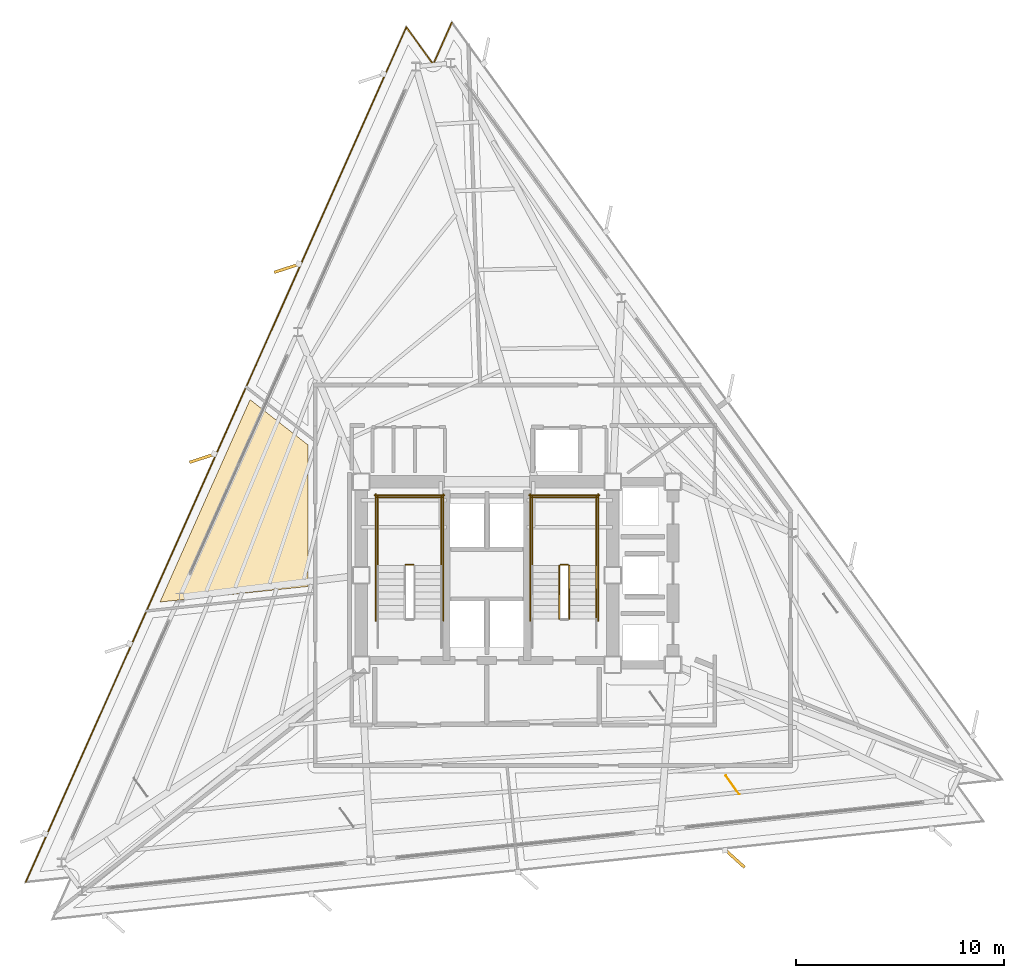
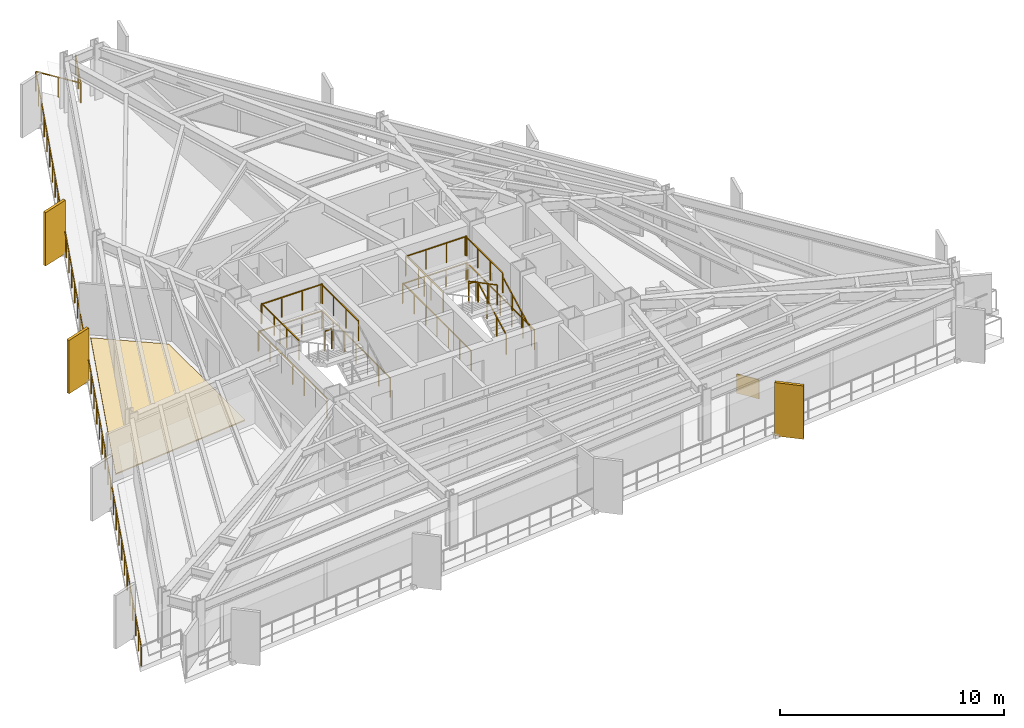
# One storey, part 11 of 12: 18 railings, 3 shading devices, 2 coverings.
"""IFC4 building model written with IfcOpenShell, lengths in metres."""

from ifc_helpers import new_model, si_unit, direction, frame, origin, origin_2d, place, context, subcontext, project, spatial, polyline, rectangle, outline, extrude, material, layer, layer_set, type_object, element, save


model = new_model("IFC4")

# Units and contexts
model_context = context("Model", 3, precision=1e-05, world=origin(), true_north=direction((0.0, 1.0)))
body_context = subcontext(model_context, "Body", "Model", "MODEL_VIEW")
ifc_project = project(units=[si_unit("LENGTHUNIT", "METRE"), si_unit("AREAUNIT", "SQUARE_METRE"), si_unit("VOLUMEUNIT", "CUBIC_METRE"), si_unit("PLANEANGLEUNIT", "RADIAN"), si_unit("MASSUNIT", "GRAM", prefix="KILO")], contexts=[model_context])

# Site, building, storey
site_placement = place(None, origin())
site = spatial("IfcSite", under=ifc_project, at=site_placement, CompositionType="ELEMENT")
building_placement = place(site_placement, origin())
building = spatial("IfcBuilding", under=site, at=building_placement, Name="Rocaltana Carrier Exchange", CompositionType="ELEMENT")
storey_placement = place(building_placement, frame((0.0, 0.0, 110.719970703125)))
storey = spatial("IfcBuildingStorey", under=building, at=storey_placement, Name="L34", CompositionType="ELEMENT", Elevation=110.719970703125)

# Covering
ifc_material_1 = material(Name="Calcium Sulphate & Aluminium Pedestal", Category="aluminium")
ifc_layer_1 = layer(ifc_material_1, 0.06005859375)
ifc_layer_set_1 = layer_set([ifc_layer_1], Name="Calcium Sulphate & Aluminium Pedestal")
covering_type_1 = type_object("IfcCoveringType", Name="Anti-Static Raised Exchange Access Floor 60", PredefinedType="FLOORING", material=ifc_layer_set_1)
covering_1_placement = place(storey_placement, origin())
element("IfcCovering", 1, at=covering_1_placement, inside=storey, type_object=covering_type_1, Name="L34 Carrier Peering Suite Finish Floor", PredefinedType="FLOORING", context=body_context, shape_type="SweptSolid", body=[
    extrude(outline(polyline([(-11.389404296875, 8.441650390625), (-8.610107421875, 6.27001953125), (-8.610107421875, -0.54296875), (-15.722412109375, -1.29052734375), (-11.389404296875, 8.441650390625)])), origin(), (0.0, 0.0, 1.0), 0.06005859375),
])

# Railings
ifc_material_2 = material(Name="Brushed Architectural Stainless Tube", Category="steel")
ifc_layer_2 = layer(ifc_material_2, 0.048095703125)
ifc_layer_set_2 = layer_set([ifc_layer_2], Name="Brushed Architectural Stainless Tube")
railing_type_1 = type_object("IfcRailingType", Name="Stair Wall Handrail 920", PredefinedType="HANDRAIL", material=ifc_layer_set_2)
railing_1_placement = place(storey_placement, frame((5.25, -2.10009765625, 0.1689453125)))
element("IfcRailing", 2, at=railing_1_placement, inside=storey, type_object=railing_type_1, Name="L34 ST-2 stair handrail 1", PredefinedType="HANDRAIL", context=body_context, shape_type="SweptSolid", body=[
    extrude(rectangle(XDim=0.048095703125, YDim=0.048095703125, at=origin_2d()), frame((0.0, 0.0, 0.8759765625), z_axis=(0.0, 0.884394423565, 0.466740295633), x_axis=(-1.0, 0.0, 0.0)), (0.0, 0.0, 1.0), 2.894775390625),
    extrude(rectangle(XDim=0.0419921875, YDim=0.0419921875, at=origin_2d()), origin(), (0.0, 0.0, 1.0), 0.851806640625),
    extrude(rectangle(XDim=0.0419921875, YDim=0.0419921875, at=origin_2d()), frame((0.0, 0.853271484375, 0.450439453125)), (0.0, 0.0, 1.0), 0.851806640625),
    extrude(rectangle(XDim=0.0419921875, YDim=0.0419921875, at=origin_2d()), frame((0.0, 1.706787109375, 0.900634765625)), (0.0, 0.0, 1.0), 0.851806640625),
    extrude(rectangle(XDim=0.0419921875, YDim=0.0419921875, at=origin_2d()), frame((0.0, 2.56005859375, 1.35107421875)), (0.0, 0.0, 1.0), 0.851806640625),
])
ifc_material_3 = material(Name="Powder-Coated Aluminium 6063-T6", Category="aluminium")
ifc_layer_3 = layer(ifc_material_3, 0.048095703125)
ifc_layer_set_3 = layer_set([ifc_layer_3], Name="Powder-Coated Aluminium 6063-T6")
railing_type_2 = type_object("IfcRailingType", Name="Stair Well Guardrail 1100", PredefinedType="GUARDRAIL", material=ifc_layer_set_3)
railing_2_placement = place(storey_placement, frame((-3.5400390625, 0.510009765625, 1.52001953125)))
element("IfcRailing", 3, at=railing_2_placement, inside=storey, type_object=railing_type_2, Name="L34 ST-1 stair guard 2", PredefinedType="GUARDRAIL", context=body_context, shape_type="SweptSolid", body=[
    extrude(rectangle(XDim=0.048095703125, YDim=0.048095703125, at=origin_2d()), frame((0.0, 0.0, 1.076171875), z_axis=(-1.0, 0.0, 0.0), x_axis=(0.0, -1.0, 0.0)), (0.0, 0.0, 1.0), 0.35986328125),
    extrude(rectangle(XDim=0.0419921875, YDim=0.0419921875, at=origin_2d()), origin(), (0.0, 0.0, 1.0), 1.052001953125),
    extrude(rectangle(XDim=0.0419921875, YDim=0.0419921875, at=origin_2d()), frame((-0.35986328125, 0.0, 0.0)), (0.0, 0.0, 1.0), 1.052001953125),
])
for number, where, name in (
    (4, (-2.18994140625, 0.4599609375, 1.52001953125), "L34 ST-1 stair guard 3"),
    (5, (-5.25, 0.4599609375, 1.52001953125), "L34 ST-1 stair guard 4"),
):
    element("IfcRailing", number, at=place(storey_placement, frame(where)), inside=storey, type_object=railing_type_2, Name=name, PredefinedType="GUARDRAIL", context=body_context, shape_type="SweptSolid", body=[
        extrude(rectangle(XDim=0.048095703125, YDim=0.048095703125, at=origin_2d()), frame((0.0, 0.0, 1.076171875), z_axis=(0.0, 1.0, 0.0), x_axis=(-1.0, 0.0, 0.0)), (0.0, 0.0, 1.0), 3.340087890625),
        extrude(rectangle(XDim=0.0419921875, YDim=0.0419921875, at=origin_2d()), origin(), (0.0, 0.0, 1.0), 1.052001953125),
        extrude(rectangle(XDim=0.0419921875, YDim=0.0419921875, at=origin_2d()), frame((0.0, 1.11328125, 0.0)), (0.0, 0.0, 1.0), 1.052001953125),
        extrude(rectangle(XDim=0.0419921875, YDim=0.0419921875, at=origin_2d()), frame((0.0, 2.226806640625, 0.0)), (0.0, 0.0, 1.0), 1.052001953125),
        extrude(rectangle(XDim=0.0419921875, YDim=0.0419921875, at=origin_2d()), frame((0.0, 3.340087890625, 0.0)), (0.0, 0.0, 1.0), 1.052001953125),
    ])
railing_3_placement = place(storey_placement, frame((-2.139892578125, 3.75, 1.52001953125)))
element("IfcRailing", 6, at=railing_3_placement, inside=storey, type_object=railing_type_2, Name="L34 ST-1 stair guard 5", PredefinedType="GUARDRAIL", context=body_context, shape_type="SweptSolid", body=[
    extrude(rectangle(XDim=0.048095703125, YDim=0.048095703125, at=origin_2d()), frame((0.0, 0.0, 1.076171875), z_axis=(-1.0, 0.0, 0.0), x_axis=(0.0, -1.0, 0.0)), (0.0, 0.0, 1.0), 3.16015625),
    extrude(rectangle(XDim=0.0419921875, YDim=0.0419921875, at=origin_2d()), origin(), (0.0, 0.0, 1.0), 1.052001953125),
    extrude(rectangle(XDim=0.0419921875, YDim=0.0419921875, at=origin_2d()), frame((-1.053466796875, 0.0, 0.0)), (0.0, 0.0, 1.0), 1.052001953125),
    extrude(rectangle(XDim=0.0419921875, YDim=0.0419921875, at=origin_2d()), frame((-2.106689453125, 0.0, 0.0)), (0.0, 0.0, 1.0), 1.052001953125),
    extrude(rectangle(XDim=0.0419921875, YDim=0.0419921875, at=origin_2d()), frame((-3.16015625, 0.0, 0.0)), (0.0, 0.0, 1.0), 1.052001953125),
])
for number, where, name in (
    (7, (-2.090087890625, -2.199951171875, 0.0), "L34 ST-1 stair guard 10"),
    (8, (-5.35009765625, -2.199951171875, 0.0), "L34 ST-1 stair guard 11"),
):
    element("IfcRailing", number, at=place(storey_placement, frame(where)), inside=storey, type_object=railing_type_2, Name=name, PredefinedType="GUARDRAIL", context=body_context, shape_type="SweptSolid", body=[
        extrude(rectangle(XDim=0.048095703125, YDim=0.048095703125, at=origin_2d()), frame((0.0, 0.0, 1.076171875), z_axis=(0.0, 1.0, 0.0), x_axis=(-1.0, 0.0, 0.0)), (0.0, 0.0, 1.0), 6.099853515625),
        extrude(rectangle(XDim=0.0419921875, YDim=0.0419921875, at=origin_2d()), origin(), (0.0, 0.0, 1.0), 1.052001953125),
        extrude(rectangle(XDim=0.0419921875, YDim=0.0419921875, at=origin_2d()), frame((0.0, 1.0166015625, 0.0)), (0.0, 0.0, 1.0), 1.052001953125),
        extrude(rectangle(XDim=0.0419921875, YDim=0.0419921875, at=origin_2d()), frame((0.0, 2.033203125, 0.0)), (0.0, 0.0, 1.0), 1.052001953125),
        extrude(rectangle(XDim=0.0419921875, YDim=0.0419921875, at=origin_2d()), frame((0.0, 3.0498046875, 0.0)), (0.0, 0.0, 1.0), 1.052001953125),
        extrude(rectangle(XDim=0.0419921875, YDim=0.0419921875, at=origin_2d()), frame((0.0, 4.066650390625, 0.0)), (0.0, 0.0, 1.0), 1.052001953125),
        extrude(rectangle(XDim=0.0419921875, YDim=0.0419921875, at=origin_2d()), frame((0.0, 5.083251953125, 0.0)), (0.0, 0.0, 1.0), 1.052001953125),
        extrude(rectangle(XDim=0.0419921875, YDim=0.0419921875, at=origin_2d()), frame((0.0, 6.099853515625, 0.0)), (0.0, 0.0, 1.0), 1.052001953125),
    ])
railing_4_placement = place(storey_placement, frame((-2.0400390625, 3.85009765625, 0.0)))
element("IfcRailing", 9, at=railing_4_placement, inside=storey, type_object=railing_type_2, Name="L34 ST-1 stair guard 12", PredefinedType="GUARDRAIL", context=body_context, shape_type="SweptSolid", body=[
    extrude(rectangle(XDim=0.048095703125, YDim=0.048095703125, at=origin_2d()), frame((0.0, 0.0, 1.076171875), z_axis=(-1.0, 0.0, 0.0), x_axis=(0.0, -1.0, 0.0)), (0.0, 0.0, 1.0), 3.35986328125),
    extrude(rectangle(XDim=0.0419921875, YDim=0.0419921875, at=origin_2d()), origin(), (0.0, 0.0, 1.0), 1.052001953125),
    extrude(rectangle(XDim=0.0419921875, YDim=0.0419921875, at=origin_2d()), frame((-1.119873046875, 0.0, 0.0)), (0.0, 0.0, 1.0), 1.052001953125),
    extrude(rectangle(XDim=0.0419921875, YDim=0.0419921875, at=origin_2d()), frame((-2.239990234375, 0.0, 0.0)), (0.0, 0.0, 1.0), 1.052001953125),
    extrude(rectangle(XDim=0.0419921875, YDim=0.0419921875, at=origin_2d()), frame((-3.35986328125, 0.0, 0.0)), (0.0, 0.0, 1.0), 1.052001953125),
])
railing_5_placement = place(storey_placement, frame((3.949951171875, -2.10009765625, 0.1689453125)))
element("IfcRailing", 10, at=railing_5_placement, inside=storey, type_object=railing_type_2, Name="L34 ST-2 stair guard 1", PredefinedType="GUARDRAIL", context=body_context, shape_type="SweptSolid", body=[
    extrude(rectangle(XDim=0.048095703125, YDim=0.048095703125, at=origin_2d()), frame((0.0, 0.0, 1.076171875), z_axis=(0.0, 0.884394423565, 0.466740295633), x_axis=(-1.0, 0.0, 0.0)), (0.0, 0.0, 1.0), 2.894775390625),
    extrude(rectangle(XDim=0.0419921875, YDim=0.0419921875, at=origin_2d()), origin(), (0.0, 0.0, 1.0), 1.052001953125),
    extrude(rectangle(XDim=0.0419921875, YDim=0.0419921875, at=origin_2d()), frame((0.0, 0.853271484375, 0.450439453125)), (0.0, 0.0, 1.0), 1.052001953125),
    extrude(rectangle(XDim=0.0419921875, YDim=0.0419921875, at=origin_2d()), frame((0.0, 1.706787109375, 0.900634765625)), (0.0, 0.0, 1.0), 1.052001953125),
    extrude(rectangle(XDim=0.0419921875, YDim=0.0419921875, at=origin_2d()), frame((0.0, 2.56005859375, 1.35107421875)), (0.0, 0.0, 1.0), 1.052001953125),
])
railing_6_placement = place(storey_placement, frame((3.89990234375, 0.510009765625, 1.52001953125)))
element("IfcRailing", 11, at=railing_6_placement, inside=storey, type_object=railing_type_2, Name="L34 ST-2 stair guard 2", PredefinedType="GUARDRAIL", context=body_context, shape_type="SweptSolid", body=[
    extrude(rectangle(XDim=0.048095703125, YDim=0.048095703125, at=origin_2d()), frame((0.0, 0.0, 1.076171875), z_axis=(-1.0, 0.0, 0.0), x_axis=(0.0, -1.0, 0.0)), (0.0, 0.0, 1.0), 0.35986328125),
    extrude(rectangle(XDim=0.0419921875, YDim=0.0419921875, at=origin_2d()), origin(), (0.0, 0.0, 1.0), 1.052001953125),
    extrude(rectangle(XDim=0.0419921875, YDim=0.0419921875, at=origin_2d()), frame((-0.35986328125, 0.0, 0.0)), (0.0, 0.0, 1.0), 1.052001953125),
])
for number, where, name in (
    (12, (5.25, 0.4599609375, 1.52001953125), "L34 ST-2 stair guard 3"),
    (13, (2.18994140625, 0.4599609375, 1.52001953125), "L34 ST-2 stair guard 4"),
):
    element("IfcRailing", number, at=place(storey_placement, frame(where)), inside=storey, type_object=railing_type_2, Name=name, PredefinedType="GUARDRAIL", context=body_context, shape_type="SweptSolid", body=[
        extrude(rectangle(XDim=0.048095703125, YDim=0.048095703125, at=origin_2d()), frame((0.0, 0.0, 1.076171875), z_axis=(0.0, 1.0, 0.0), x_axis=(-1.0, 0.0, 0.0)), (0.0, 0.0, 1.0), 3.340087890625),
        extrude(rectangle(XDim=0.0419921875, YDim=0.0419921875, at=origin_2d()), origin(), (0.0, 0.0, 1.0), 1.052001953125),
        extrude(rectangle(XDim=0.0419921875, YDim=0.0419921875, at=origin_2d()), frame((0.0, 1.11328125, 0.0)), (0.0, 0.0, 1.0), 1.052001953125),
        extrude(rectangle(XDim=0.0419921875, YDim=0.0419921875, at=origin_2d()), frame((0.0, 2.226806640625, 0.0)), (0.0, 0.0, 1.0), 1.052001953125),
        extrude(rectangle(XDim=0.0419921875, YDim=0.0419921875, at=origin_2d()), frame((0.0, 3.340087890625, 0.0)), (0.0, 0.0, 1.0), 1.052001953125),
    ])
railing_7_placement = place(storey_placement, frame((5.300048828125, 3.75, 1.52001953125)))
element("IfcRailing", 14, at=railing_7_placement, inside=storey, type_object=railing_type_2, Name="L34 ST-2 stair guard 5", PredefinedType="GUARDRAIL", context=body_context, shape_type="SweptSolid", body=[
    extrude(rectangle(XDim=0.048095703125, YDim=0.048095703125, at=origin_2d()), frame((0.0, 0.0, 1.076171875), z_axis=(-1.0, 0.0, 0.0), x_axis=(0.0, -1.0, 0.0)), (0.0, 0.0, 1.0), 3.16015625),
    extrude(rectangle(XDim=0.0419921875, YDim=0.0419921875, at=origin_2d()), origin(), (0.0, 0.0, 1.0), 1.052001953125),
    extrude(rectangle(XDim=0.0419921875, YDim=0.0419921875, at=origin_2d()), frame((-1.053466796875, 0.0, 0.0)), (0.0, 0.0, 1.0), 1.052001953125),
    extrude(rectangle(XDim=0.0419921875, YDim=0.0419921875, at=origin_2d()), frame((-2.106689453125, 0.0, 0.0)), (0.0, 0.0, 1.0), 1.052001953125),
    extrude(rectangle(XDim=0.0419921875, YDim=0.0419921875, at=origin_2d()), frame((-3.16015625, 0.0, 0.0)), (0.0, 0.0, 1.0), 1.052001953125),
])
railing_8_placement = place(storey_placement, frame((3.489990234375, 0.4599609375, 1.68896484375)))
element("IfcRailing", 15, at=railing_8_placement, inside=storey, type_object=railing_type_2, Name="L34 ST-2 stair guard 6", PredefinedType="GUARDRAIL", context=body_context, shape_type="SweptSolid", body=[
    extrude(rectangle(XDim=0.048095703125, YDim=0.048095703125, at=origin_2d()), frame((0.0, 0.0, 1.076171875), z_axis=(0.0, -0.884394423565, 0.466740295633), x_axis=(1.0, 0.0, 0.0)), (0.0, 0.0, 1.0), 2.894775390625),
    extrude(rectangle(XDim=0.0419921875, YDim=0.0419921875, at=origin_2d()), origin(), (0.0, 0.0, 1.0), 1.052001953125),
    extrude(rectangle(XDim=0.0419921875, YDim=0.0419921875, at=origin_2d()), frame((0.0, -0.853271484375, 0.450439453125)), (0.0, 0.0, 1.0), 1.052001953125),
    extrude(rectangle(XDim=0.0419921875, YDim=0.0419921875, at=origin_2d()), frame((0.0, -1.706787109375, 0.900634765625)), (0.0, 0.0, 1.0), 1.052001953125),
    extrude(rectangle(XDim=0.0419921875, YDim=0.0419921875, at=origin_2d()), frame((0.0, -2.56005859375, 1.35107421875)), (0.0, 0.0, 1.0), 1.052001953125),
])
for number, where, name in (
    (16, (5.35009765625, -2.199951171875, 0.0), "L34 ST-2 stair guard 10"),
    (17, (2.090087890625, -2.199951171875, 0.0), "L34 ST-2 stair guard 11"),
):
    element("IfcRailing", number, at=place(storey_placement, frame(where)), inside=storey, type_object=railing_type_2, Name=name, PredefinedType="GUARDRAIL", context=body_context, shape_type="SweptSolid", body=[
        extrude(rectangle(XDim=0.048095703125, YDim=0.048095703125, at=origin_2d()), frame((0.0, 0.0, 1.076171875), z_axis=(0.0, 1.0, 0.0), x_axis=(-1.0, 0.0, 0.0)), (0.0, 0.0, 1.0), 6.099853515625),
        extrude(rectangle(XDim=0.0419921875, YDim=0.0419921875, at=origin_2d()), origin(), (0.0, 0.0, 1.0), 1.052001953125),
        extrude(rectangle(XDim=0.0419921875, YDim=0.0419921875, at=origin_2d()), frame((0.0, 1.0166015625, 0.0)), (0.0, 0.0, 1.0), 1.052001953125),
        extrude(rectangle(XDim=0.0419921875, YDim=0.0419921875, at=origin_2d()), frame((0.0, 2.033203125, 0.0)), (0.0, 0.0, 1.0), 1.052001953125),
        extrude(rectangle(XDim=0.0419921875, YDim=0.0419921875, at=origin_2d()), frame((0.0, 3.0498046875, 0.0)), (0.0, 0.0, 1.0), 1.052001953125),
        extrude(rectangle(XDim=0.0419921875, YDim=0.0419921875, at=origin_2d()), frame((0.0, 4.066650390625, 0.0)), (0.0, 0.0, 1.0), 1.052001953125),
        extrude(rectangle(XDim=0.0419921875, YDim=0.0419921875, at=origin_2d()), frame((0.0, 5.083251953125, 0.0)), (0.0, 0.0, 1.0), 1.052001953125),
        extrude(rectangle(XDim=0.0419921875, YDim=0.0419921875, at=origin_2d()), frame((0.0, 6.099853515625, 0.0)), (0.0, 0.0, 1.0), 1.052001953125),
    ])
railing_9_placement = place(storey_placement, frame((5.39990234375, 3.85009765625, 0.0)))
element("IfcRailing", 18, at=railing_9_placement, inside=storey, type_object=railing_type_2, Name="L34 ST-2 stair guard 12", PredefinedType="GUARDRAIL", context=body_context, shape_type="SweptSolid", body=[
    extrude(rectangle(XDim=0.048095703125, YDim=0.048095703125, at=origin_2d()), frame((0.0, 0.0, 1.076171875), z_axis=(-1.0, 0.0, 0.0), x_axis=(0.0, -1.0, 0.0)), (0.0, 0.0, 1.0), 3.35986328125),
    extrude(rectangle(XDim=0.0419921875, YDim=0.0419921875, at=origin_2d()), origin(), (0.0, 0.0, 1.0), 1.052001953125),
    extrude(rectangle(XDim=0.0419921875, YDim=0.0419921875, at=origin_2d()), frame((-1.119873046875, 0.0, 0.0)), (0.0, 0.0, 1.0), 1.052001953125),
    extrude(rectangle(XDim=0.0419921875, YDim=0.0419921875, at=origin_2d()), frame((-2.239990234375, 0.0, 0.0)), (0.0, 0.0, 1.0), 1.052001953125),
    extrude(rectangle(XDim=0.0419921875, YDim=0.0419921875, at=origin_2d()), frame((-3.35986328125, 0.0, 0.0)), (0.0, 0.0, 1.0), 1.052001953125),
])

# Covering
ifc_material_4 = material(Name="Honed Piedra Muneca Sandstone", Category="masonry")
ifc_layer_4 = layer(ifc_material_4, 0.034912109375)
ifc_layer_set_4 = layer_set([ifc_layer_4], Name="Honed Piedra Muneca Sandstone")
covering_type_2 = type_object("IfcCoveringType", Name="Stone Facade Cladding 35", PredefinedType="CLADDING", material=ifc_layer_set_4)
covering_2_placement = place(storey_placement, frame((11.811279296875, -10.088134765625, 0.0), z_axis=(0.0, 0.0, 1.0), x_axis=(-0.587785252292, 0.809016994375, 0.0)))
element("IfcCovering", 19, at=covering_2_placement, inside=storey, type_object=covering_type_2, Name="L34 Stone Facade Cladding Panel 3", PredefinedType="CLADDING", context=body_context, shape_type="SweptSolid", body=[
    extrude(rectangle(XDim=1.10009765625, YDim=0.034912109375, at=origin_2d()), origin(), (0.0, 0.0, 1.0), 1.050048828125),
])

# Shading devices
ifc_material_5 = material(Name="Honed Bogota Sandstone & Concrete C45/55", Category="masonry")
ifc_layer_5 = layer(ifc_material_5, 0.139892578125)
ifc_layer_set_5 = layer_set([ifc_layer_5], Name="Honed Bogota Sandstone & Concrete C45/55")
shading_device_type = type_object("IfcShadingDeviceType", Name="Vertical Sandstone Shading Fin 1320x140", PredefinedType="USERDEFINED", material=ifc_layer_set_5)
for number, where, z_axis, x_axis, name in (
    (20, (-9.602783203125, 14.767578125, -0.1201171875), (0.0, 0.0, 1.0), (-0.951056516295, -0.309016994375, 0.0), "L34 Sandstone Vertical Fin F2-02"),
    (21, (-13.670166015625, 5.632080078125, -0.1201171875), (0.0, 0.0, 1.0), (-0.951056516295, -0.309016994375, 0.0), "L34 Sandstone Vertical Fin F2-03"),
    (22, (11.902587890625, -13.609375, -0.1201171875), (0.0, 0.0, 1.0), (0.743144825477, -0.669130606359, 0.0), "L34 Sandstone Vertical Fin F3-04"),
):
    element("IfcShadingDevice", number, at=place(storey_placement, frame(where, z_axis=z_axis, x_axis=x_axis)), inside=storey, type_object=shading_device_type, Name=name, ObjectType="FIN", PredefinedType="USERDEFINED", context=body_context, shape_type="SweptSolid", body=[
        extrude(rectangle(XDim=1.320068359375, YDim=0.139892578125, at=origin_2d()), origin(), (0.0, 0.0, 1.0), 2.907958984375),
    ])

# Railing
ifc_material_6 = material(Name="Powder-Coated Aluminium 6063-T6", Category="aluminium")
ifc_layer_6 = layer(ifc_material_6, 0.06005859375)
ifc_layer_set_6 = layer_set([ifc_layer_6], Name="Powder-Coated Aluminium 6063-T6")
railing_type_3 = type_object("IfcRailingType", Name="Wind-Floor & Terrace Perimeter Guardrail 1100", PredefinedType="GUARDRAIL", material=ifc_layer_set_6)
railing_10_placement = place(storey_placement, frame((-22.175537109375, -14.751953125, 0.0)))
element("IfcRailing", 23, at=railing_10_placement, inside=storey, type_object=railing_type_3, Name="L34 Perimeter Balcony Guardrail 2", PredefinedType="GUARDRAIL", context=body_context, shape_type="SweptSolid", body=[
    extrude(rectangle(XDim=0.048095703125, YDim=0.048095703125, at=origin_2d()), frame((0.0, 0.0, 1.076171875), z_axis=(0.406732474308, 0.913547313686, 0.0), x_axis=(-0.913547313686, 0.406732474308, 0.0)), (0.0, 0.0, 1.0), 44.9921875),
    extrude(rectangle(XDim=0.048095703125, YDim=0.048095703125, at=origin_2d()), frame((18.2998046875, 41.1025390625, 1.076171875), z_axis=(0.587821928992, -0.808990345923, 0.0), x_axis=(0.808990345923, 0.587821928992, 0.0)), (0.0, 0.0, 1.0), 2.199951171875),
    extrude(rectangle(XDim=0.048095703125, YDim=0.048095703125, at=origin_2d()), frame((19.593017578125, 39.32275390625, 1.076171875), z_axis=(0.406725294076, 0.913550510459, 0.0), x_axis=(-0.913550510459, 0.406725294076, 0.0)), (0.0, 0.0, 1.0), 2.199951171875),
    extrude(rectangle(XDim=0.0419921875, YDim=0.0419921875, at=origin_2d()), origin(), (0.0, 0.0, 1.0), 1.052001953125),
    extrude(rectangle(XDim=0.0419921875, YDim=0.0419921875, at=origin_2d()), frame((0.481689453125, 1.08154296875, 0.0)), (0.0, 0.0, 1.0), 1.052001953125),
    extrude(rectangle(XDim=0.0419921875, YDim=0.0419921875, at=origin_2d()), frame((0.963134765625, 2.163330078125, 0.0)), (0.0, 0.0, 1.0), 1.052001953125),
    extrude(rectangle(XDim=0.0419921875, YDim=0.0419921875, at=origin_2d()), frame((1.44482421875, 3.244873046875, 0.0)), (0.0, 0.0, 1.0), 1.052001953125),
    extrude(rectangle(XDim=0.0419921875, YDim=0.0419921875, at=origin_2d()), frame((1.92626953125, 4.32666015625, 0.0)), (0.0, 0.0, 1.0), 1.052001953125),
    extrude(rectangle(XDim=0.0419921875, YDim=0.0419921875, at=origin_2d()), frame((2.407958984375, 5.408203125, 0.0)), (0.0, 0.0, 1.0), 1.052001953125),
    extrude(rectangle(XDim=0.0419921875, YDim=0.0419921875, at=origin_2d()), frame((2.889404296875, 6.489990234375, 0.0)), (0.0, 0.0, 1.0), 1.052001953125),
    extrude(rectangle(XDim=0.0419921875, YDim=0.0419921875, at=origin_2d()), frame((3.37109375, 7.571533203125, 0.0)), (0.0, 0.0, 1.0), 1.052001953125),
    extrude(rectangle(XDim=0.0419921875, YDim=0.0419921875, at=origin_2d()), frame((3.8525390625, 8.653076171875, 0.0)), (0.0, 0.0, 1.0), 1.052001953125),
    extrude(rectangle(XDim=0.0419921875, YDim=0.0419921875, at=origin_2d()), frame((4.334228515625, 9.73486328125, 0.0)), (0.0, 0.0, 1.0), 1.052001953125),
    extrude(rectangle(XDim=0.0419921875, YDim=0.0419921875, at=origin_2d()), frame((4.815673828125, 10.81640625, 0.0)), (0.0, 0.0, 1.0), 1.052001953125),
    extrude(rectangle(XDim=0.0419921875, YDim=0.0419921875, at=origin_2d()), frame((5.29736328125, 11.898193359375, 0.0)), (0.0, 0.0, 1.0), 1.052001953125),
    extrude(rectangle(XDim=0.0419921875, YDim=0.0419921875, at=origin_2d()), frame((5.77880859375, 12.979736328125, 0.0)), (0.0, 0.0, 1.0), 1.052001953125),
    extrude(rectangle(XDim=0.0419921875, YDim=0.0419921875, at=origin_2d()), frame((6.260498046875, 14.061279296875, 0.0)), (0.0, 0.0, 1.0), 1.052001953125),
    extrude(rectangle(XDim=0.0419921875, YDim=0.0419921875, at=origin_2d()), frame((6.741943359375, 15.14306640625, 0.0)), (0.0, 0.0, 1.0), 1.052001953125),
    extrude(rectangle(XDim=0.0419921875, YDim=0.0419921875, at=origin_2d()), frame((7.2236328125, 16.224609375, 0.0)), (0.0, 0.0, 1.0), 1.052001953125),
    extrude(rectangle(XDim=0.0419921875, YDim=0.0419921875, at=origin_2d()), frame((7.705078125, 17.306396484375, 0.0)), (0.0, 0.0, 1.0), 1.052001953125),
    extrude(rectangle(XDim=0.0419921875, YDim=0.0419921875, at=origin_2d()), frame((8.186767578125, 18.387939453125, 0.0)), (0.0, 0.0, 1.0), 1.052001953125),
    extrude(rectangle(XDim=0.0419921875, YDim=0.0419921875, at=origin_2d()), frame((8.668212890625, 19.4697265625, 0.0)), (0.0, 0.0, 1.0), 1.052001953125),
    extrude(rectangle(XDim=0.0419921875, YDim=0.0419921875, at=origin_2d()), frame((9.14990234375, 20.55126953125, 0.0)), (0.0, 0.0, 1.0), 1.052001953125),
    extrude(rectangle(XDim=0.0419921875, YDim=0.0419921875, at=origin_2d()), frame((9.631591796875, 21.6328125, 0.0)), (0.0, 0.0, 1.0), 1.052001953125),
    extrude(rectangle(XDim=0.0419921875, YDim=0.0419921875, at=origin_2d()), frame((10.113037109375, 22.714599609375, 0.0)), (0.0, 0.0, 1.0), 1.052001953125),
    extrude(rectangle(XDim=0.0419921875, YDim=0.0419921875, at=origin_2d()), frame((10.5947265625, 23.796142578125, 0.0)), (0.0, 0.0, 1.0), 1.052001953125),
    extrude(rectangle(XDim=0.0419921875, YDim=0.0419921875, at=origin_2d()), frame((11.076171875, 24.8779296875, 0.0)), (0.0, 0.0, 1.0), 1.052001953125),
    extrude(rectangle(XDim=0.0419921875, YDim=0.0419921875, at=origin_2d()), frame((11.557861328125, 25.95947265625, 0.0)), (0.0, 0.0, 1.0), 1.052001953125),
    extrude(rectangle(XDim=0.0419921875, YDim=0.0419921875, at=origin_2d()), frame((12.039306640625, 27.041259765625, 0.0)), (0.0, 0.0, 1.0), 1.052001953125),
    extrude(rectangle(XDim=0.0419921875, YDim=0.0419921875, at=origin_2d()), frame((12.52099609375, 28.122802734375, 0.0)), (0.0, 0.0, 1.0), 1.052001953125),
    extrude(rectangle(XDim=0.0419921875, YDim=0.0419921875, at=origin_2d()), frame((13.00244140625, 29.204345703125, 0.0)), (0.0, 0.0, 1.0), 1.052001953125),
    extrude(rectangle(XDim=0.0419921875, YDim=0.0419921875, at=origin_2d()), frame((13.484130859375, 30.2861328125, 0.0)), (0.0, 0.0, 1.0), 1.052001953125),
    extrude(rectangle(XDim=0.0419921875, YDim=0.0419921875, at=origin_2d()), frame((13.965576171875, 31.36767578125, 0.0)), (0.0, 0.0, 1.0), 1.052001953125),
    extrude(rectangle(XDim=0.0419921875, YDim=0.0419921875, at=origin_2d()), frame((14.447265625, 32.449462890625, 0.0)), (0.0, 0.0, 1.0), 1.052001953125),
    extrude(rectangle(XDim=0.0419921875, YDim=0.0419921875, at=origin_2d()), frame((14.9287109375, 33.531005859375, 0.0)), (0.0, 0.0, 1.0), 1.052001953125),
    extrude(rectangle(XDim=0.0419921875, YDim=0.0419921875, at=origin_2d()), frame((15.410400390625, 34.612548828125, 0.0)), (0.0, 0.0, 1.0), 1.052001953125),
    extrude(rectangle(XDim=0.0419921875, YDim=0.0419921875, at=origin_2d()), frame((15.891845703125, 35.6943359375, 0.0)), (0.0, 0.0, 1.0), 1.052001953125),
    extrude(rectangle(XDim=0.0419921875, YDim=0.0419921875, at=origin_2d()), frame((16.37353515625, 36.77587890625, 0.0)), (0.0, 0.0, 1.0), 1.052001953125),
    extrude(rectangle(XDim=0.0419921875, YDim=0.0419921875, at=origin_2d()), frame((16.85498046875, 37.857666015625, 0.0)), (0.0, 0.0, 1.0), 1.052001953125),
    extrude(rectangle(XDim=0.0419921875, YDim=0.0419921875, at=origin_2d()), frame((17.336669921875, 38.939208984375, 0.0)), (0.0, 0.0, 1.0), 1.052001953125),
    extrude(rectangle(XDim=0.0419921875, YDim=0.0419921875, at=origin_2d()), frame((17.818115234375, 40.02099609375, 0.0)), (0.0, 0.0, 1.0), 1.052001953125),
    extrude(rectangle(XDim=0.0419921875, YDim=0.0419921875, at=origin_2d()), frame((18.2998046875, 41.1025390625, 0.0)), (0.0, 0.0, 1.0), 1.052001953125),
    extrude(rectangle(XDim=0.0419921875, YDim=0.0419921875, at=origin_2d()), frame((18.9462890625, 40.212646484375, 0.0)), (0.0, 0.0, 1.0), 1.052001953125),
    extrude(rectangle(XDim=0.0419921875, YDim=0.0419921875, at=origin_2d()), frame((19.593017578125, 39.32275390625, 0.0)), (0.0, 0.0, 1.0), 1.052001953125),
    extrude(rectangle(XDim=0.0419921875, YDim=0.0419921875, at=origin_2d()), frame((20.04052734375, 40.32763671875, 0.0)), (0.0, 0.0, 1.0), 1.052001953125),
    extrude(rectangle(XDim=0.0419921875, YDim=0.0419921875, at=origin_2d()), frame((20.48779296875, 41.33251953125, 0.0)), (0.0, 0.0, 1.0), 1.052001953125),
])

save(model, "model.ifc")
